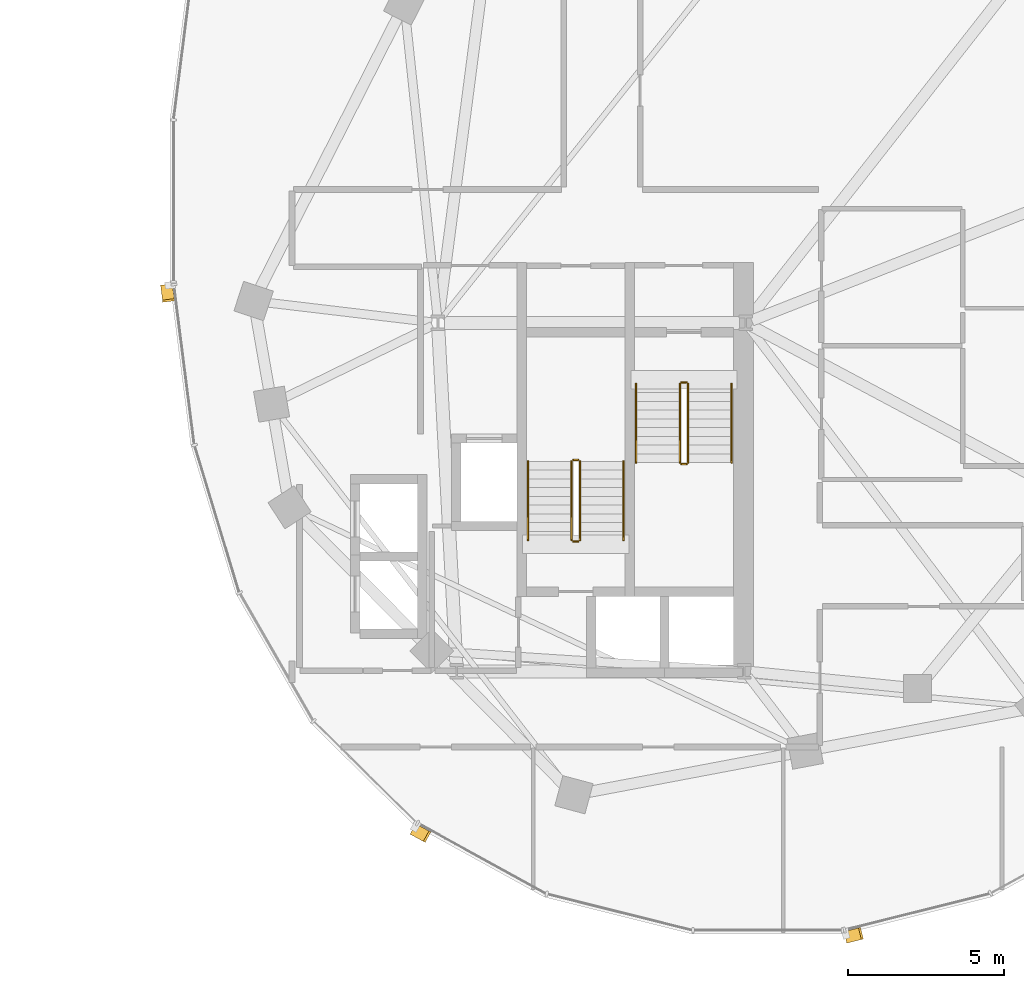
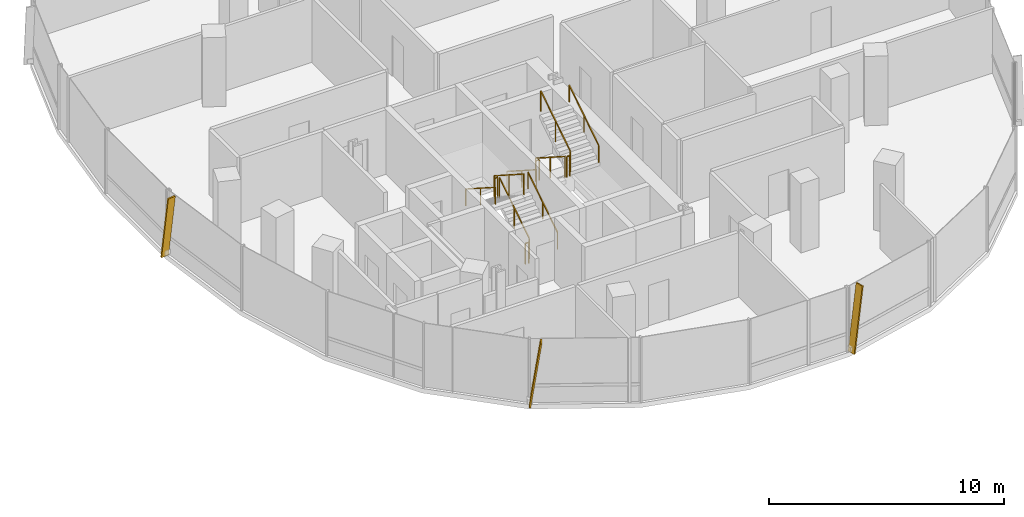
# One storey, part 22 of 23: 12 railings, 3 shading devices.
"""IFC4 building model written with IfcOpenShell, lengths in metres."""

from ifc_helpers import new_model, si_unit, direction, frame, origin, origin_2d, place, context, subcontext, project, spatial, rectangle, extrude, material, material_profile, profile_set, type_object, element, save


model = new_model("IFC4")

# Units and contexts
model_context = context("Model", 3, precision=1e-05, world=origin(), true_north=direction((0.0, 1.0)))
body_context = subcontext(model_context, "Body", "Model", "MODEL_VIEW")
ifc_project = project(units=[si_unit("LENGTHUNIT", "METRE"), si_unit("AREAUNIT", "SQUARE_METRE"), si_unit("VOLUMEUNIT", "CUBIC_METRE"), si_unit("PLANEANGLEUNIT", "RADIAN"), si_unit("MASSUNIT", "GRAM", prefix="KILO"), si_unit("THERMODYNAMICTEMPERATUREUNIT", "KELVIN"), si_unit("POWERUNIT", "WATT")], contexts=[model_context])

# Site, building, storey
site_placement = place(None, origin())
site = spatial("IfcSite", under=ifc_project, at=site_placement, CompositionType="ELEMENT")
building_placement = place(site_placement, origin())
building = spatial("IfcBuilding", under=site, at=building_placement, Name="Cundina Bronze Exchange", CompositionType="ELEMENT")
storey_placement = place(building_placement, frame((0.0, 0.0, 172.800048828125)))
storey = spatial("IfcBuildingStorey", under=building, at=storey_placement, Name="L45", CompositionType="ELEMENT", Elevation=172.800048828125)

# Railings
ifc_material_1 = material(Name="Steel ASTM A36 Painted", Category="steel")
railing_type_1 = type_object("IfcRailingType", Name="RLG-HND-900", PredefinedType="HANDRAIL", material=ifc_material_1)
railing_1_placement = place(storey_placement, frame((27.7900390625, -5.85009765625, 0.179931640625)))
element("IfcRailing", 1, at=railing_1_placement, inside=storey, type_object=railing_type_1, Name="L45 ST-E1 stair handrail 1", PredefinedType="HANDRAIL", context=body_context, shape_type="SweptSolid", body=[
    extrude(rectangle(XDim=0.048095703125, YDim=0.048095703125, at=origin_2d()), frame((0.0, 0.0, 0.8759765625), z_axis=(0.0, -0.841162588446, 0.540782303519), x_axis=(1.0, 0.0, 0.0)), (0.0, 0.0, 1.0), 2.995849609375),
    extrude(rectangle(XDim=0.0419921875, YDim=0.0419921875, at=origin_2d()), origin(), (0.0, 0.0, 1.0), 0.851806640625),
    extrude(rectangle(XDim=0.0419921875, YDim=0.0419921875, at=origin_2d()), frame((0.0, -1.260009765625, 0.81005859375)), (0.0, 0.0, 1.0), 0.851806640625),
    extrude(rectangle(XDim=0.0419921875, YDim=0.0419921875, at=origin_2d()), frame((0.0, -2.52001953125, 1.6201171875)), (0.0, 0.0, 1.0), 0.851806640625),
])
railing_2_placement = place(storey_placement, frame((30.85009765625, -8.3701171875, 1.97998046875)))
element("IfcRailing", 2, at=railing_2_placement, inside=storey, type_object=railing_type_1, Name="L45 ST-E1 stair handrail 2", PredefinedType="HANDRAIL", context=body_context, shape_type="SweptSolid", body=[
    extrude(rectangle(XDim=0.048095703125, YDim=0.048095703125, at=origin_2d()), frame((0.0, 0.0, 0.8759765625), z_axis=(0.0, 0.841199657755, 0.540724639528), x_axis=(-1.0, 0.0, 0.0)), (0.0, 0.0, 1.0), 2.995849609375),
    extrude(rectangle(XDim=0.0419921875, YDim=0.0419921875, at=origin_2d()), origin(), (0.0, 0.0, 1.0), 0.851806640625),
    extrude(rectangle(XDim=0.0419921875, YDim=0.0419921875, at=origin_2d()), frame((0.0, 1.260009765625, 0.81005859375)), (0.0, 0.0, 1.0), 0.851806640625),
    extrude(rectangle(XDim=0.0419921875, YDim=0.0419921875, at=origin_2d()), frame((0.0, 2.52001953125, 1.619873046875)), (0.0, 0.0, 1.0), 0.851806640625),
])
railing_3_placement = place(storey_placement, frame((27.389892578125, -10.85009765625, 0.179931640625)))
element("IfcRailing", 3, at=railing_3_placement, inside=storey, type_object=railing_type_1, Name="L45 ST-E2 stair handrail 1", PredefinedType="HANDRAIL", context=body_context, shape_type="SweptSolid", body=[
    extrude(rectangle(XDim=0.048095703125, YDim=0.048095703125, at=origin_2d()), frame((0.0, 0.0, 0.8759765625), z_axis=(0.0, 0.841162588446, 0.540782303519), x_axis=(-1.0, 0.0, 0.0)), (0.0, 0.0, 1.0), 2.995849609375),
    extrude(rectangle(XDim=0.0419921875, YDim=0.0419921875, at=origin_2d()), origin(), (0.0, 0.0, 1.0), 0.851806640625),
    extrude(rectangle(XDim=0.0419921875, YDim=0.0419921875, at=origin_2d()), frame((0.0, 1.260009765625, 0.81005859375)), (0.0, 0.0, 1.0), 0.851806640625),
    extrude(rectangle(XDim=0.0419921875, YDim=0.0419921875, at=origin_2d()), frame((0.0, 2.52001953125, 1.6201171875)), (0.0, 0.0, 1.0), 0.851806640625),
])
railing_4_placement = place(storey_placement, frame((24.330078125, -8.330078125, 1.97998046875)))
element("IfcRailing", 4, at=railing_4_placement, inside=storey, type_object=railing_type_1, Name="L45 ST-E2 stair handrail 2", PredefinedType="HANDRAIL", context=body_context, shape_type="SweptSolid", body=[
    extrude(rectangle(XDim=0.048095703125, YDim=0.048095703125, at=origin_2d()), frame((0.0, 0.0, 0.8759765625), z_axis=(0.0, -0.841199657755, 0.540724639528), x_axis=(1.0, 0.0, 0.0)), (0.0, 0.0, 1.0), 2.995849609375),
    extrude(rectangle(XDim=0.0419921875, YDim=0.0419921875, at=origin_2d()), origin(), (0.0, 0.0, 1.0), 0.851806640625),
    extrude(rectangle(XDim=0.0419921875, YDim=0.0419921875, at=origin_2d()), frame((0.0, -1.260009765625, 0.81005859375)), (0.0, 0.0, 1.0), 0.851806640625),
    extrude(rectangle(XDim=0.0419921875, YDim=0.0419921875, at=origin_2d()), frame((0.0, -2.52001953125, 1.619873046875)), (0.0, 0.0, 1.0), 0.851806640625),
])
railing_type_2 = type_object("IfcRailingType", Name="RLG-STG-1100", PredefinedType="GUARDRAIL", material=ifc_material_1)
railing_5_placement = place(storey_placement, frame((29.18994140625, -5.85009765625, 0.179931640625)))
element("IfcRailing", 5, at=railing_5_placement, inside=storey, type_object=railing_type_2, Name="L45 ST-E1 stair guard 1", PredefinedType="GUARDRAIL", context=body_context, shape_type="SweptSolid", body=[
    extrude(rectangle(XDim=0.048095703125, YDim=0.048095703125, at=origin_2d()), frame((0.0, 0.0, 1.076171875), z_axis=(0.0, -0.841162588446, 0.540782303519), x_axis=(1.0, 0.0, 0.0)), (0.0, 0.0, 1.0), 2.995849609375),
    extrude(rectangle(XDim=0.0419921875, YDim=0.0419921875, at=origin_2d()), origin(), (0.0, 0.0, 1.0), 1.052001953125),
    extrude(rectangle(XDim=0.0419921875, YDim=0.0419921875, at=origin_2d()), frame((0.0, -1.260009765625, 0.81005859375)), (0.0, 0.0, 1.0), 1.052001953125),
    extrude(rectangle(XDim=0.0419921875, YDim=0.0419921875, at=origin_2d()), frame((0.0, -2.52001953125, 1.6201171875)), (0.0, 0.0, 1.0), 1.052001953125),
])
railing_6_placement = place(storey_placement, frame((29.239990234375, -8.419921875, 1.800048828125)))
element("IfcRailing", 6, at=railing_6_placement, inside=storey, type_object=railing_type_2, Name="L45 ST-E1 stair guard 2", PredefinedType="GUARDRAIL", context=body_context, shape_type="SweptSolid", body=[
    extrude(rectangle(XDim=0.048095703125, YDim=0.048095703125, at=origin_2d()), frame((0.0, 0.0, 1.076171875), z_axis=(1.0, 0.0, 0.0), x_axis=(0.0, 1.0, 0.0)), (0.0, 0.0, 1.0), 0.159912109375),
    extrude(rectangle(XDim=0.0419921875, YDim=0.0419921875, at=origin_2d()), origin(), (0.0, 0.0, 1.0), 1.052001953125),
    extrude(rectangle(XDim=0.0419921875, YDim=0.0419921875, at=origin_2d()), frame((0.159912109375, 0.0, 0.0)), (0.0, 0.0, 1.0), 1.052001953125),
])
railing_7_placement = place(storey_placement, frame((29.449951171875, -8.3701171875, 1.97998046875)))
element("IfcRailing", 7, at=railing_7_placement, inside=storey, type_object=railing_type_2, Name="L45 ST-E1 stair guard 3", PredefinedType="GUARDRAIL", context=body_context, shape_type="SweptSolid", body=[
    extrude(rectangle(XDim=0.048095703125, YDim=0.048095703125, at=origin_2d()), frame((0.0, 0.0, 1.076171875), z_axis=(0.0, 0.841199657755, 0.540724639528), x_axis=(-1.0, 0.0, 0.0)), (0.0, 0.0, 1.0), 2.995849609375),
    extrude(rectangle(XDim=0.0419921875, YDim=0.0419921875, at=origin_2d()), origin(), (0.0, 0.0, 1.0), 1.052001953125),
    extrude(rectangle(XDim=0.0419921875, YDim=0.0419921875, at=origin_2d()), frame((0.0, 1.260009765625, 0.81005859375)), (0.0, 0.0, 1.0), 1.052001953125),
    extrude(rectangle(XDim=0.0419921875, YDim=0.0419921875, at=origin_2d()), frame((0.0, 2.52001953125, 1.619873046875)), (0.0, 0.0, 1.0), 1.052001953125),
])
railing_8_placement = place(storey_placement, frame((29.239990234375, -5.800048828125, 0.0)))
element("IfcRailing", 8, at=railing_8_placement, inside=storey, type_object=railing_type_2, Name="L45 ST-E1 stair guard 4", PredefinedType="GUARDRAIL", context=body_context, shape_type="SweptSolid", body=[
    extrude(rectangle(XDim=0.048095703125, YDim=0.048095703125, at=origin_2d()), frame((0.0, 0.0, 1.076171875), z_axis=(1.0, 0.0, 0.0), x_axis=(0.0, 1.0, 0.0)), (0.0, 0.0, 1.0), 0.159912109375),
    extrude(rectangle(XDim=0.0419921875, YDim=0.0419921875, at=origin_2d()), origin(), (0.0, 0.0, 1.0), 1.052001953125),
    extrude(rectangle(XDim=0.0419921875, YDim=0.0419921875, at=origin_2d()), frame((0.159912109375, 0.0, 0.0)), (0.0, 0.0, 1.0), 1.052001953125),
])
railing_9_placement = place(storey_placement, frame((25.989990234375, -10.85009765625, 0.179931640625)))
element("IfcRailing", 9, at=railing_9_placement, inside=storey, type_object=railing_type_2, Name="L45 ST-E2 stair guard 1", PredefinedType="GUARDRAIL", context=body_context, shape_type="SweptSolid", body=[
    extrude(rectangle(XDim=0.048095703125, YDim=0.048095703125, at=origin_2d()), frame((0.0, 0.0, 1.076171875), z_axis=(0.0, 0.841162588446, 0.540782303519), x_axis=(-1.0, 0.0, 0.0)), (0.0, 0.0, 1.0), 2.995849609375),
    extrude(rectangle(XDim=0.0419921875, YDim=0.0419921875, at=origin_2d()), origin(), (0.0, 0.0, 1.0), 1.052001953125),
    extrude(rectangle(XDim=0.0419921875, YDim=0.0419921875, at=origin_2d()), frame((0.0, 1.260009765625, 0.81005859375)), (0.0, 0.0, 1.0), 1.052001953125),
    extrude(rectangle(XDim=0.0419921875, YDim=0.0419921875, at=origin_2d()), frame((0.0, 2.52001953125, 1.6201171875)), (0.0, 0.0, 1.0), 1.052001953125),
])
railing_10_placement = place(storey_placement, frame((25.93994140625, -8.280029296875, 1.800048828125)))
element("IfcRailing", 10, at=railing_10_placement, inside=storey, type_object=railing_type_2, Name="L45 ST-E2 stair guard 2", PredefinedType="GUARDRAIL", context=body_context, shape_type="SweptSolid", body=[
    extrude(rectangle(XDim=0.048095703125, YDim=0.048095703125, at=origin_2d()), frame((0.0, 0.0, 1.076171875), z_axis=(-1.0, 0.0, 0.0), x_axis=(0.0, -1.0, 0.0)), (0.0, 0.0, 1.0), 0.159912109375),
    extrude(rectangle(XDim=0.0419921875, YDim=0.0419921875, at=origin_2d()), origin(), (0.0, 0.0, 1.0), 1.052001953125),
    extrude(rectangle(XDim=0.0419921875, YDim=0.0419921875, at=origin_2d()), frame((-0.159912109375, 0.0, 0.0)), (0.0, 0.0, 1.0), 1.052001953125),
])
railing_11_placement = place(storey_placement, frame((25.72998046875, -8.330078125, 1.97998046875)))
element("IfcRailing", 11, at=railing_11_placement, inside=storey, type_object=railing_type_2, Name="L45 ST-E2 stair guard 3", PredefinedType="GUARDRAIL", context=body_context, shape_type="SweptSolid", body=[
    extrude(rectangle(XDim=0.048095703125, YDim=0.048095703125, at=origin_2d()), frame((0.0, 0.0, 1.076171875), z_axis=(0.0, -0.841199657755, 0.540724639528), x_axis=(1.0, 0.0, 0.0)), (0.0, 0.0, 1.0), 2.995849609375),
    extrude(rectangle(XDim=0.0419921875, YDim=0.0419921875, at=origin_2d()), origin(), (0.0, 0.0, 1.0), 1.052001953125),
    extrude(rectangle(XDim=0.0419921875, YDim=0.0419921875, at=origin_2d()), frame((0.0, -1.260009765625, 0.81005859375)), (0.0, 0.0, 1.0), 1.052001953125),
    extrude(rectangle(XDim=0.0419921875, YDim=0.0419921875, at=origin_2d()), frame((0.0, -2.52001953125, 1.619873046875)), (0.0, 0.0, 1.0), 1.052001953125),
])
railing_12_placement = place(storey_placement, frame((25.93994140625, -10.89990234375, 0.0)))
element("IfcRailing", 12, at=railing_12_placement, inside=storey, type_object=railing_type_2, Name="L45 ST-E2 stair guard 4", PredefinedType="GUARDRAIL", context=body_context, shape_type="SweptSolid", body=[
    extrude(rectangle(XDim=0.048095703125, YDim=0.048095703125, at=origin_2d()), frame((0.0, 0.0, 1.076171875), z_axis=(-1.0, 0.0, 0.0), x_axis=(0.0, -1.0, 0.0)), (0.0, 0.0, 1.0), 0.159912109375),
    extrude(rectangle(XDim=0.0419921875, YDim=0.0419921875, at=origin_2d()), origin(), (0.0, 0.0, 1.0), 1.052001953125),
    extrude(rectangle(XDim=0.0419921875, YDim=0.0419921875, at=origin_2d()), frame((-0.159912109375, 0.0, 0.0)), (0.0, 0.0, 1.0), 1.052001953125),
])

# Shading devices
ifc_material_2 = material(Name="Anodised Bronze Aluminium 6063-T6", Category="aluminium")
ifc_material_profile = material_profile(ifc_material_2, rectangle(XDim=0.070068359375, YDim=0.3798828125, at=origin_2d()), Name="FIN70X380", Category="aluminium")
ifc_profile_set = profile_set([ifc_material_profile], Name="Anodised Bronze Aluminium 6063-T6")
shading_device_type = type_object("IfcShadingDeviceType", Name="SHD-FIN-BRZ380", PredefinedType="USERDEFINED", material=ifc_profile_set)
for number, where, z_axis, x_axis, name in (
    (13, (12.76513671875, -2.705810546875, 0.02001953125), (0.018123110499, -0.141927973785, 0.989711070527), (-0.125360600332, 0.981739641151, 0.143080386066), "L45 Diagonal Bronze Solar Fin 1"),
    (14, (20.679931640625, -20.11181640625, 0.02001953125), (0.125333488691, -0.068998924088, 0.989712415345), (-0.867010347902, 0.477308832643, 0.143071083426), "L45 Diagonal Bronze Solar Fin 5"),
    (15, (34.51953125, -23.556396484375, 0.02001953125), (0.138798398751, 0.034717795597, 0.989711917263), (-0.960131970194, -0.240158861973, 0.143074528925), "L45 Diagonal Bronze Solar Fin 1"),
):
    element("IfcShadingDevice", number, at=place(storey_placement, frame(where, z_axis=z_axis, x_axis=x_axis)), inside=storey, type_object=shading_device_type, Name=name, ObjectType="FIN", PredefinedType="USERDEFINED", context=body_context, shape_type="SweptSolid", body=[
        extrude(rectangle(XDim=0.070068359375, YDim=0.3798828125, at=origin_2d()), origin(), (0.0, 0.0, 1.0), 3.354248046875),
    ])

save(model, "model.ifc")
